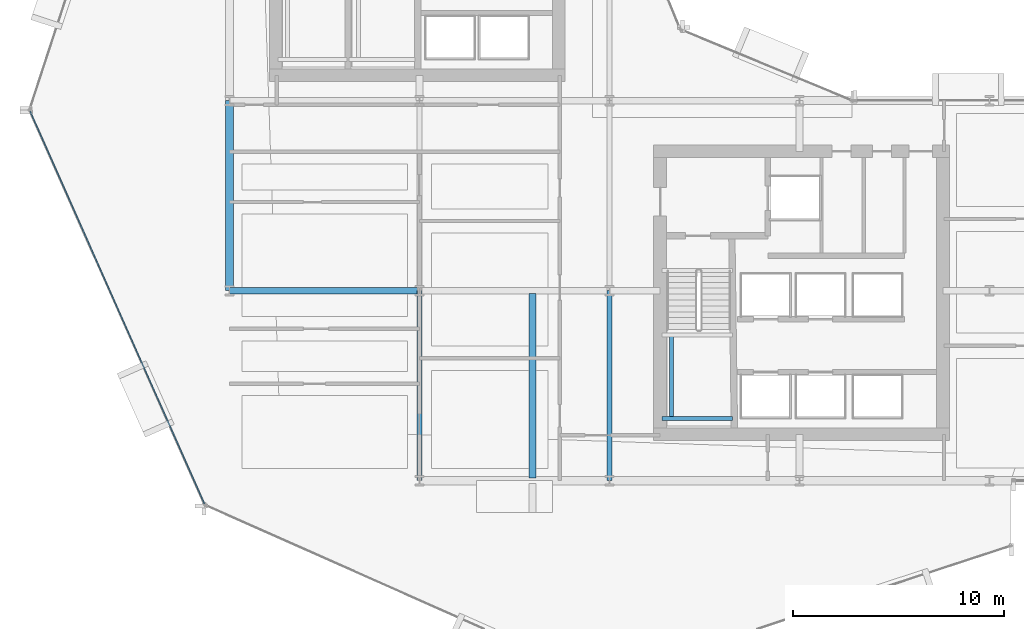
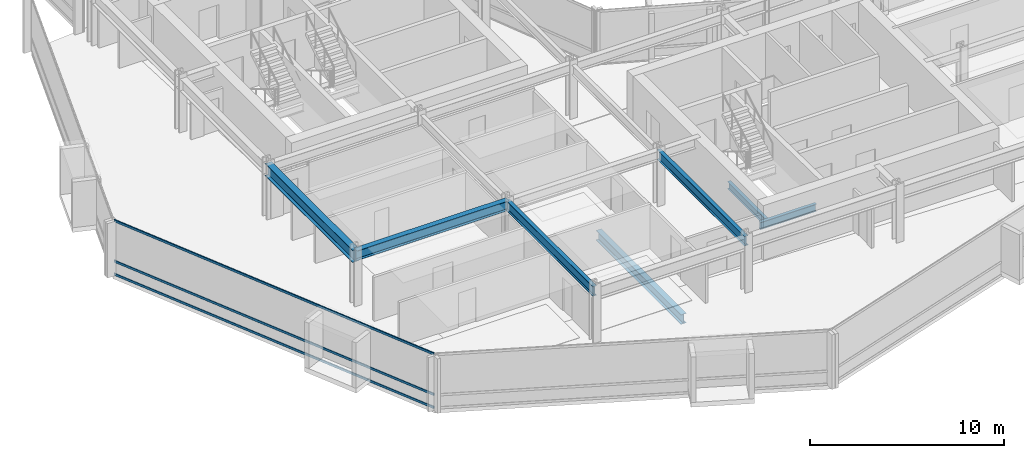
# One storey, part 5 of 34: 7 beams, 3 members, 1 element without a shape of its own.
"""IFC4 building model written with IfcOpenShell, lengths in metres."""

import ifcopenshell
import ifcopenshell.guid

model = None  # the IFC model being written
_history = None  # IfcOwnerHistory: only IFC2X3 demands one
_inside = {}  # id of a spatial element -> (the spatial element, [elements in it])
_under = {}  # id of a project, library or spatial element -> (it, [spatial elements below it])
_declared = {}  # id of a project -> (the project, [libraries it declares])
_typed = {}  # id of a type object -> (the type object, [elements of that type])
_made_of = {}  # id of a material, layer set ... -> (it, [elements and type objects made of it])


def new_model(schema):
    """Start an empty IFC model of exactly this schema.

    Asked for "IFC4X3", IfcOpenShell would pick the latest addendum, in which some entities
    have other attributes; the version numbers below select the first issue.
    IFC2X3 requires an IfcOwnerHistory on every rooted entity: one is made here for all.
    """
    global model, _history
    if schema == "IFC4X3":
        model = ifcopenshell.file(schema_version=(4, 3, 0, 0))
    else:
        model = ifcopenshell.file(schema=schema)
    _inside.clear()
    _under.clear()
    _declared.clear()
    _typed.clear()
    _made_of.clear()
    _history = None
    if model.schema == "IFC2X3":
        org = make("IfcOrganization", Name="unknown")
        user = make(
            "IfcPersonAndOrganization",
            ThePerson=make("IfcPerson", FamilyName="unknown"),
            TheOrganization=org,
        )
        app = make(
            "IfcApplication",
            ApplicationDeveloper=org,
            Version="unknown",
            ApplicationFullName="unknown",
            ApplicationIdentifier="unknown",
        )
        _history = make(
            "IfcOwnerHistory",
            OwningUser=user,
            OwningApplication=app,
            ChangeAction="ADDED",
            CreationDate=0,
        )
    return model


def make(cls, **values):
    """One entity of the class cls with the attributes given. An attribute that is None is left unset."""
    return model.create_entity(
        cls, **{name: value for name, value in values.items() if value is not None}
    )


def rooted(cls, **values):
    """An entity with a GlobalId (a new one), such as an element, a storey or a relation."""
    return make(cls, GlobalId=ifcopenshell.guid.new(), OwnerHistory=_history, **values)


def si_unit(unit_type, name, prefix=None):
    """IfcSIUnit, for example si_unit("LENGTHUNIT", "METRE", prefix="MILLI")."""
    return make("IfcSIUnit", UnitType=unit_type, Prefix=prefix, Name=name)


def assignment(units):
    """IfcUnitAssignment: the units of a project."""
    return None if units is None else make("IfcUnitAssignment", Units=units)


def point(xyz):
    """IfcCartesianPoint."""
    return None if xyz is None else make("IfcCartesianPoint", Coordinates=xyz)


def direction(xyz):
    """IfcDirection."""
    return None if xyz is None else make("IfcDirection", DirectionRatios=xyz)


def frame(location, z_axis=None, x_axis=None):
    """IfcAxis2Placement3D, a coordinate frame: its origin and axes. An axis left out is left unset."""
    return make(
        "IfcAxis2Placement3D",
        Location=point(location),
        Axis=direction(z_axis),
        RefDirection=direction(x_axis),
    )


def frame_2d(location, x_axis=None):
    """IfcAxis2Placement2D, a coordinate frame in the plane: its origin and x axis."""
    return make(
        "IfcAxis2Placement2D", Location=point(location), RefDirection=direction(x_axis)
    )


def origin():
    """The frame at (0, 0, 0) with its axes left unset."""
    return frame((0.0, 0.0, 0.0))


def origin_2d():
    """The frame at (0, 0) in the plane with its x axis left unset."""
    return frame_2d((0.0, 0.0))


def place(relative_to, where):
    """IfcLocalPlacement: puts the frame where relative to a parent placement (None: the world)."""
    return make(
        "IfcLocalPlacement", PlacementRelTo=relative_to, RelativePlacement=where
    )


def context(
    kind, dimensions, precision=None, world=None, true_north=None, identifier=None
):
    """IfcGeometricRepresentationContext, for example the 3D "Model" context."""
    return make(
        "IfcGeometricRepresentationContext",
        ContextIdentifier=identifier,
        ContextType=kind,
        CoordinateSpaceDimension=dimensions,
        Precision=precision,
        WorldCoordinateSystem=world,
        TrueNorth=true_north,
    )


def subcontext(parent, identifier, kind, view, scale=None):
    """IfcGeometricRepresentationSubContext, for example "Body" below "Model"."""
    return make(
        "IfcGeometricRepresentationSubContext",
        ContextIdentifier=identifier,
        ContextType=kind,
        ParentContext=parent,
        TargetScale=scale,
        TargetView=view,
    )


def project(units=None, contexts=None):
    """IfcProject with its units and contexts."""
    return rooted(
        "IfcProject",
        Name="project",
        RepresentationContexts=contexts,
        UnitsInContext=assignment(units),
    )


def spatial(cls, under=None, at=None, **own):
    """A site, building, storey or space (cls), placed at a placement, below another one or the project."""
    s = rooted(cls, ObjectPlacement=at, **own)
    if under is not None:
        _under.setdefault(under.id(), (under, []))[1].append(s)
    return s


def profile(cls, at=None, kind="AREA", **sizes):
    """A parametric profile (cls). Its sizes go by their IFC names, for example OverallWidth=200.0."""
    return make(cls, ProfileType=kind, Position=at, **sizes)


def hollow_rectangle(**sizes):
    """IfcRectangleHollowProfileDef."""
    return profile("IfcRectangleHollowProfileDef", **sizes)


def i_section(**sizes):
    """IfcIShapeProfileDef."""
    return profile("IfcIShapeProfileDef", **sizes)


def extrude(swept, where, along, depth):
    """IfcExtrudedAreaSolid: the profile swept, set in the frame where, extruded along a direction by depth."""
    return make(
        "IfcExtrudedAreaSolid",
        SweptArea=swept,
        Position=where,
        ExtrudedDirection=direction(along),
        Depth=depth,
    )


def shape(context_of_items, identifier, shape_type, items):
    """IfcShapeRepresentation: the items that make up one representation, for example the "Body"."""
    return make(
        "IfcShapeRepresentation",
        ContextOfItems=context_of_items,
        RepresentationIdentifier=identifier,
        RepresentationType=shape_type,
        Items=items,
    )


def material(Name=None, Category=None):
    """IfcMaterial."""
    return make("IfcMaterial", Name=Name, Category=Category)


def layer(
    of_material, thickness, ventilated=None, Name=None, Category=None, Priority=None
):
    """IfcMaterialLayer: one layer of a wall or slab, of a material (None: an air gap)."""
    return make(
        "IfcMaterialLayer",
        Material=of_material,
        LayerThickness=thickness,
        IsVentilated=ventilated,
        Name=Name,
        Category=Category,
        Priority=Priority,
    )


def layer_set(layers, Name=None):
    """IfcMaterialLayerSet."""
    return make("IfcMaterialLayerSet", MaterialLayers=layers, LayerSetName=Name)


def material_profile(
    of_material, cross_section, Name=None, Category=None, Priority=None
):
    """IfcMaterialProfile: a cross section and its material."""
    return make(
        "IfcMaterialProfile",
        Name=Name,
        Material=of_material,
        Profile=cross_section,
        Priority=Priority,
        Category=Category,
    )


def profile_set(profiles, Name=None, composite=None):
    """IfcMaterialProfileSet."""
    return make(
        "IfcMaterialProfileSet",
        Name=Name,
        MaterialProfiles=profiles,
        CompositeProfile=composite,
    )


def made_of(thing, what):
    """Note that an element or type object is made of a material, layer set ...; save() writes the relation."""
    if what is not None:
        _made_of.setdefault(what.id(), (what, []))[1].append(thing)
    return thing


def type_object(cls, material=None, **own):
    """A type object (cls), such as IfcWallType, which elements share."""
    return made_of(rooted(cls, **own), material)


def element(
    cls,
    number,
    at=None,
    inside=None,
    cuts=None,
    type_object=None,
    material=None,
    context=None,
    identifier="Body",
    shape_type=None,
    held_by="IfcProductDefinitionShape",
    body=None,
    shapes=None,
    **own,
):
    """One element of the class cls, such as IfcWall. Its Tag is "e" and its number.

    at: its placement. inside: the storey or other place that contains it. cuts: it is an
    opening in that element (IfcRelVoidsElement). A single representation is given by context,
    identifier, shape_type and body (its items); several are given by shapes. held_by: the class
    of the entity that holds the representations. save() writes the other relations.
    """
    e = rooted(cls, Tag="e%d" % number, ObjectPlacement=at, **own)
    if body is not None:
        shapes = [shape(context, identifier, shape_type, body)]
    if shapes is not None:
        e.Representation = make(held_by, Representations=shapes)
    if inside is not None:
        _inside.setdefault(inside.id(), (inside, []))[1].append(e)
    if cuts is not None:
        rooted(
            "IfcRelVoidsElement", RelatingBuildingElement=cuts, RelatedOpeningElement=e
        )
    if type_object is not None:
        _typed.setdefault(type_object.id(), (type_object, []))[1].append(e)
    return made_of(e, material)


def aggregate(whole, parts):
    """IfcRelAggregates: a whole, such as a stair, and the parts it consists of."""
    return rooted("IfcRelAggregates", RelatingObject=whole, RelatedObjects=parts)


def save(model, path):
    """Write the relations noted so far, then the file.

    IfcRelAggregates (storeys below a building ...), IfcRelContainedInSpatialStructure (elements
    in a storey), IfcRelDefinesByType, IfcRelAssociatesMaterial and IfcRelDeclares: one each for
    every whole, place, type object, material and project.
    """
    for whole, parts in _under.values():
        aggregate(whole, parts)
    for where, things in _inside.values():
        rooted(
            "IfcRelContainedInSpatialStructure",
            RelatedElements=things,
            RelatingStructure=where,
        )
    for kind, things in _typed.values():
        rooted("IfcRelDefinesByType", RelatedObjects=things, RelatingType=kind)
    for what, things in _made_of.values():
        rooted("IfcRelAssociatesMaterial", RelatedObjects=things, RelatingMaterial=what)
    for by, libraries in _declared.values():
        rooted("IfcRelDeclares", RelatingContext=by, RelatedDefinitions=libraries)
    model.write(path)


model = new_model("IFC4")

# Units and contexts
model_context = context("Model", 3, precision=1e-05, world=origin(), true_north=direction((0.0, 1.0)))
body_context = subcontext(model_context, "Body", "Model", "MODEL_VIEW")
ifc_project = project(units=[si_unit("LENGTHUNIT", "METRE"), si_unit("AREAUNIT", "SQUARE_METRE"), si_unit("VOLUMEUNIT", "CUBIC_METRE"), si_unit("PLANEANGLEUNIT", "RADIAN"), si_unit("MASSUNIT", "GRAM", prefix="KILO")], contexts=[model_context])

# Site, building, storey
site_placement = place(None, origin())
site = spatial("IfcSite", under=ifc_project, at=site_placement, CompositionType="ELEMENT")
building_placement = place(site_placement, origin())
building = spatial("IfcBuilding", under=site, at=building_placement, Name="Solvaryn Broadcast Tower", CompositionType="ELEMENT")
storey_placement = place(building_placement, frame((0.0, 0.0, 36.0)))
storey = spatial("IfcBuildingStorey", under=building, at=storey_placement, Name="L07", CompositionType="ELEMENT", Elevation=36.0)

# Beams
ifc_material_1 = material(Name="Steel ASTM A992 Grade 50", Category="steel")
ifc_material_profile_1 = material_profile(ifc_material_1, i_section(OverallWidth=0.323974609375, OverallDepth=0.611083984375, WebThickness=0.0126953125, FlangeThickness=0.01904296875, FilletRadius=0.014892578125, at=origin_2d()))
ifc_profile_set_1 = profile_set([ifc_material_profile_1], Name="Steel ASTM A992 Grade 50")
beam_type_1 = type_object("IfcBeamType", Name="BM-B1-W24X104", PredefinedType="BEAM", material=ifc_profile_set_1)
beam_1_placement = place(storey_placement, frame((23.35009765625, 17.875, -0.58544921875), z_axis=(0.0, -1.0, 0.0), x_axis=(1.0, 0.0, 0.0)))
element("IfcBeam", 1, at=beam_1_placement, inside=storey, type_object=beam_type_1, Name="L07 Bay-Box Back-Span Beam 1", PredefinedType="BEAM", context=body_context, shape_type="SweptSolid", body=[
    extrude(i_section(OverallWidth=0.323974609375, OverallDepth=0.611083984375, WebThickness=0.0126953125, FlangeThickness=0.01904296875, FilletRadius=0.014892578125, at=origin_2d()), origin(), (0.0, 0.0, 1.0), 8.75),
])
beam_2_placement = place(storey_placement, frame((9.0, 18.0, 3.114501953125), z_axis=(1.0, 0.0, 0.0), x_axis=(0.0, 1.0, 0.0)))
element("IfcBeam", 2, at=beam_2_placement, inside=storey, type_object=beam_type_1, Name="L07 Primary Beam X (9-18 @ Y=18)", PredefinedType="BEAM", context=body_context, shape_type="SweptSolid", body=[
    extrude(i_section(OverallWidth=0.323974609375, OverallDepth=0.611083984375, WebThickness=0.0126953125, FlangeThickness=0.01904296875, FilletRadius=0.014892578125, at=origin_2d()), origin(), (0.0, 0.0, 1.0), 9.0),
])
ifc_material_2 = material(Name="Steel ASTM A992 Grade 50", Category="steel")
ifc_material_profile_2 = material_profile(ifc_material_2, i_section(OverallWidth=0.22802734375, OverallDepth=0.60791015625, WebThickness=0.01123046875, FlangeThickness=0.017333984375, FilletRadius=0.014892578125, at=origin_2d()))
ifc_profile_set_2 = profile_set([ifc_material_profile_2], Name="Steel ASTM A992 Grade 50")
beam_type_2 = type_object("IfcBeamType", Name="BM-B2-W24X76", PredefinedType="BEAM", material=ifc_profile_set_2)
for number, where, z_axis, x_axis, name in (
    (3, (18.0, 9.0, 3.115966796875), (0.0, 1.0, 0.0), (-1.0, 0.0, 0.0), "L07 Primary Beam Y (9-18 @ X=18)"),
    (4, (27.0, 9.0, 3.115966796875), (0.0, 1.0, 0.0), (-1.0, 0.0, 0.0), "L07 Primary Beam Y (9-18 @ X=27)"),
):
    element("IfcBeam", number, at=place(storey_placement, frame(where, z_axis=z_axis, x_axis=x_axis)), inside=storey, type_object=beam_type_2, Name=name, PredefinedType="BEAM", context=body_context, shape_type="SweptSolid", body=[
        extrude(i_section(OverallWidth=0.22802734375, OverallDepth=0.60791015625, WebThickness=0.01123046875, FlangeThickness=0.017333984375, FilletRadius=0.014892578125, at=origin_2d()), origin(), (0.0, 0.0, 1.0), 9.0),
    ])
ifc_material_3 = material(Name="Steel ASTM A992 Grade 50", Category="steel")
ifc_material_profile_3 = material_profile(ifc_material_3, i_section(OverallWidth=0.18994140625, OverallDepth=0.45703125, WebThickness=0.009033203125, FlangeThickness=0.014404296875, FilletRadius=0.011962890625, at=origin_2d()))
ifc_profile_set_3 = profile_set([ifc_material_profile_3], Name="Steel ASTM A992 Grade 50")
beam_type_3 = type_object("IfcBeamType", Name="BM-B4-W18X50", PredefinedType="BEAM", material=ifc_profile_set_3)
beam_3_placement = place(storey_placement, frame((29.5, 11.949951171875, 1.42138671875), z_axis=(1.0, 0.0, 0.0), x_axis=(0.0, 1.0, 0.0)))
element("IfcBeam", 5, at=beam_3_placement, inside=storey, type_object=beam_type_3, Name="L07 ST3 Landing Support Beam 1A", PredefinedType="BEAM", context=body_context, shape_type="SweptSolid", body=[
    extrude(i_section(OverallWidth=0.18994140625, OverallDepth=0.45703125, WebThickness=0.009033203125, FlangeThickness=0.014404296875, FilletRadius=0.011962890625, at=origin_2d()), origin(), (0.0, 0.0, 1.0), 3.320068359375),
])
beam_4_placement = place(storey_placement, frame((29.949951171875, 11.949951171875, 1.42138671875), z_axis=(0.0, 1.0, 0.0), x_axis=(-1.0, 0.0, 0.0)))
element("IfcBeam", 6, at=beam_4_placement, inside=storey, type_object=beam_type_3, Name="L07 ST3 Landing Cross Stringer 1C", PredefinedType="BEAM", context=body_context, shape_type="SweptSolid", body=[
    extrude(i_section(OverallWidth=0.18994140625, OverallDepth=0.45703125, WebThickness=0.009033203125, FlangeThickness=0.014404296875, FilletRadius=0.011962890625, at=origin_2d()), origin(), (0.0, 0.0, 1.0), 3.9599609375),
])
ifc_material_4 = material(Name="Steel ASTM A992 Grade 50", Category="steel")
ifc_material_profile_4 = material_profile(ifc_material_4, i_section(OverallWidth=0.381103515625, OverallDepth=0.77294921875, WebThickness=0.0166015625, FlangeThickness=0.027099609375, FilletRadius=0.01806640625, at=origin_2d()))
ifc_profile_set_4 = profile_set([ifc_material_profile_4], Name="Steel ASTM A992 Grade 50")
beam_type_4 = type_object("IfcBeamType", Name="BM-SP1-W30X173", PredefinedType="USERDEFINED", material=ifc_profile_set_4)
beam_5_placement = place(storey_placement, frame((9.0, 18.0, 3.033447265625), z_axis=(0.0, 1.0, 0.0), x_axis=(-1.0, 0.0, 0.0)))
element("IfcBeam", 7, at=beam_5_placement, inside=storey, type_object=beam_type_4, Name="L07 Spandrel Beam Y (18-27 @ X=9)", ObjectType="SPANDREL", PredefinedType="USERDEFINED", context=body_context, shape_type="SweptSolid", body=[
    extrude(i_section(OverallWidth=0.381103515625, OverallDepth=0.77294921875, WebThickness=0.0166015625, FlangeThickness=0.027099609375, FilletRadius=0.01806640625, at=origin_2d()), origin(), (0.0, 0.0, 1.0), 9.0),
])

# Curtain wall, members
ifc_material_5 = material(Name="Aluminium and Terracotta Unitised Curtain Wall", Category="masonry")
ifc_layer = layer(ifc_material_5, 0.239990234375)
ifc_layer_set = layer_set([ifc_layer], Name="CW-SYS3-BAYBOX")
curtain_wall_type = type_object("IfcCurtainWallType", Name="CW-SYS3-BAYBOX", PredefinedType="NOTDEFINED", material=ifc_layer_set)
curtain_wall_placement = place(storey_placement, origin())
curtain_wall = element("IfcCurtainWall", 8, at=curtain_wall_placement, inside=storey, type_object=curtain_wall_type, Name="L07 Curtain Wall DR2", PredefinedType="NOTDEFINED")
ifc_material_6 = material(Name="Anodised Aluminium 6063-T6", Category="aluminium")
ifc_material_profile_5 = material_profile(ifc_material_6, hollow_rectangle(XDim=0.06494140625, YDim=0.14990234375, WallThickness=0.00390625, InnerFilletRadius=0.00390625, OuterFilletRadius=0.008056640625, at=origin_2d()))
ifc_profile_set_5 = profile_set([ifc_material_profile_5], Name="Anodised Aluminium 6063-T6")
member_type = type_object("IfcMemberType", Name="CW-TRN-150", PredefinedType="USERDEFINED", material=ifc_profile_set_5)
member_1_placement = place(storey_placement, frame((-0.439697265625, 26.505126953125, 0.030029296875), z_axis=(0.405905872269, -0.913914888191, 0.0), x_axis=(0.913914888191, 0.405905872269, 0.0)))
member_1 = element("IfcMember", 9, at=member_1_placement, type_object=member_type, Name="CWS3 transom 1.1", ObjectType="TRANSOM", PredefinedType="USERDEFINED", context=body_context, shape_type="SweptSolid", body=[
    extrude(hollow_rectangle(XDim=0.06494140625, YDim=0.14990234375, WallThickness=0.00390625, InnerFilletRadius=0.00390625, OuterFilletRadius=0.008056640625, at=origin_2d()), origin(), (0.0, 0.0, 1.0), 20.35546875),
])
member_2_placement = place(storey_placement, frame((-0.439697265625, 26.505126953125, 0.85009765625), z_axis=(0.405905872269, -0.913914888191, 0.0), x_axis=(0.913914888191, 0.405905872269, 0.0)))
member_2 = element("IfcMember", 10, at=member_2_placement, type_object=member_type, Name="CWS3 transom 1.2", ObjectType="TRANSOM", PredefinedType="USERDEFINED", context=body_context, shape_type="SweptSolid", body=[
    extrude(hollow_rectangle(XDim=0.06494140625, YDim=0.14990234375, WallThickness=0.00390625, InnerFilletRadius=0.00390625, OuterFilletRadius=0.008056640625, at=origin_2d()), origin(), (0.0, 0.0, 1.0), 20.35546875),
])
member_3_placement = place(storey_placement, frame((-0.439697265625, 26.505126953125, 3.389892578125), z_axis=(0.405905872269, -0.913914888191, 0.0), x_axis=(0.913914888191, 0.405905872269, 0.0)))
member_3 = element("IfcMember", 11, at=member_3_placement, type_object=member_type, Name="CWS3 transom 1.3", ObjectType="TRANSOM", PredefinedType="USERDEFINED", context=body_context, shape_type="SweptSolid", body=[
    extrude(hollow_rectangle(XDim=0.06494140625, YDim=0.14990234375, WallThickness=0.00390625, InnerFilletRadius=0.00390625, OuterFilletRadius=0.008056640625, at=origin_2d()), origin(), (0.0, 0.0, 1.0), 20.35546875),
])
aggregate(curtain_wall, [member_1, member_2, member_3])

save(model, "model.ifc")
